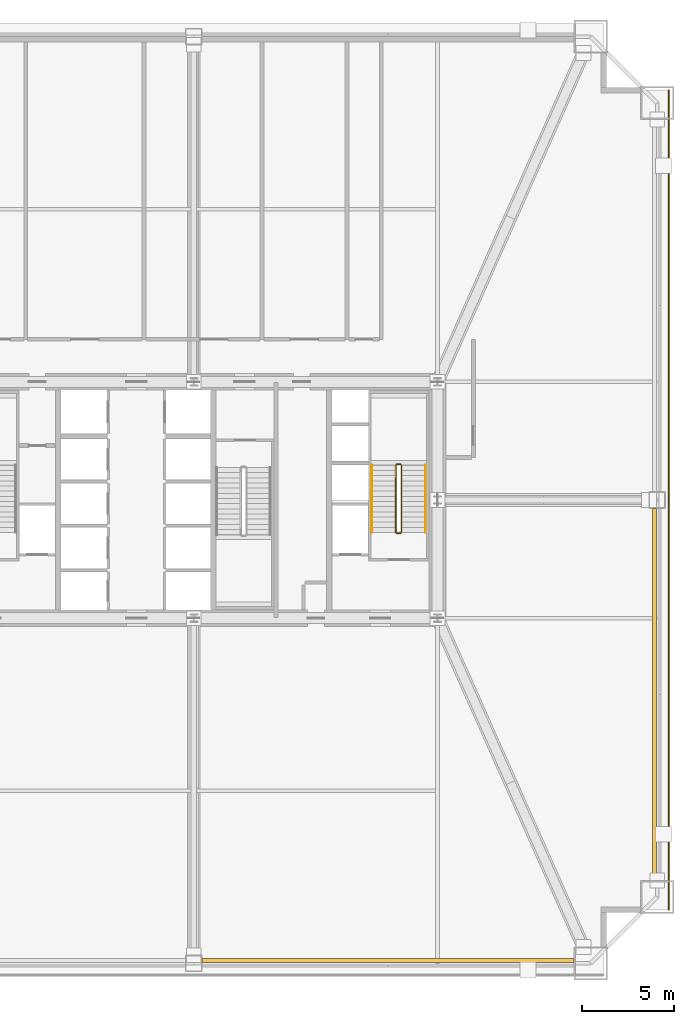
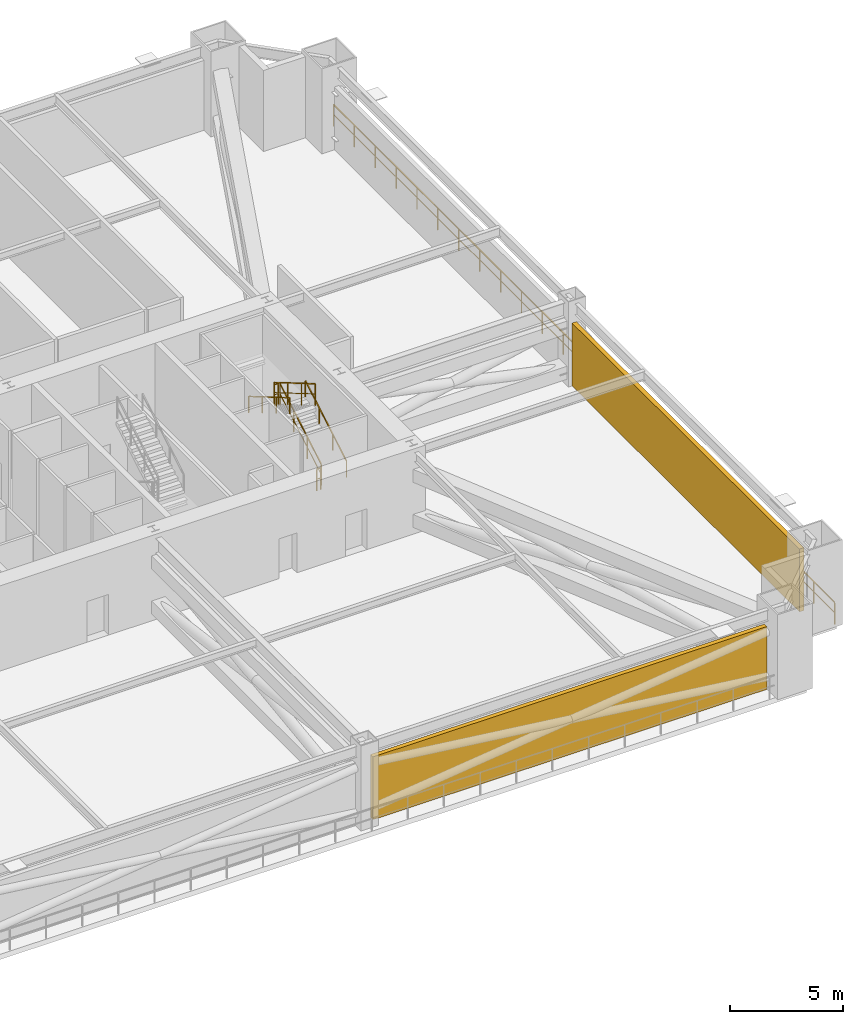
# One storey, part 10 of 11: 7 railings, 2 shading devices.
"""IFC4 building model written with IfcOpenShell, lengths in metres."""

from ifc_helpers import new_model, si_unit, direction, frame, origin, origin_2d, place, context, subcontext, project, spatial, rectangle, extrude, source, transform, mapped, material, layer, layer_set, type_object, element, save


model = new_model("IFC4")

# Units and contexts
model_context = context("Model", 3, precision=1e-05, world=origin(), true_north=direction((0.0, 1.0)))
body_context = subcontext(model_context, "Body", "Model", "MODEL_VIEW")
ifc_project = project(units=[si_unit("LENGTHUNIT", "METRE"), si_unit("AREAUNIT", "SQUARE_METRE"), si_unit("VOLUMEUNIT", "CUBIC_METRE"), si_unit("PLANEANGLEUNIT", "RADIAN"), si_unit("MASSUNIT", "GRAM", prefix="KILO"), si_unit("THERMODYNAMICTEMPERATUREUNIT", "KELVIN"), si_unit("POWERUNIT", "WATT")], contexts=[model_context])

# Site, building, storey
site_placement = place(None, origin())
site = spatial("IfcSite", under=ifc_project, at=site_placement, CompositionType="ELEMENT")
building_placement = place(site_placement, origin())
building = spatial("IfcBuilding", under=site, at=building_placement, Name="Yuzanri Waterfront Tower", CompositionType="ELEMENT")
storey_placement = place(building_placement, frame((0.0, 0.0, 41.39990234375)))
storey = spatial("IfcBuildingStorey", under=building, at=storey_placement, Name="L10", CompositionType="ELEMENT", Elevation=41.39990234375)

# Shading devices
ifc_material_1 = material(Name="Anodized Architectural Bronze", Category="metal")
ifc_layer_1 = layer(ifc_material_1, 0.219970703125)
ifc_layer_set_1 = layer_set([ifc_layer_1], Name="Anodized Architectural Bronze")
shading_device_type = type_object("IfcShadingDeviceType", Name="Anodized Bronze Refuge Wind-Diffusing Louvre Screen 220", PredefinedType="USERDEFINED", material=ifc_layer_set_1)
shared_shape_1 = source(origin(), body_context, "Body", "SweptSolid", [
    extrude(rectangle(XDim=20.14990234375, YDim=0.219970703125, at=origin_2d()), origin(), (0.0, 0.0, 1.0), 3.39990234375),
])
shading_device_1_placement = place(storey_placement, frame((47.52490234375, 0.85009765625, 0.000244140625), z_axis=(0.0, 0.0, 1.0), x_axis=(1.0, 0.0, 0.0)))
element("IfcShadingDevice", 1, at=shading_device_1_placement, inside=storey, type_object=shading_device_type, Name="L10 Wind-Diffusing Refuge Louvre SR", ObjectType="LOUVRE", PredefinedType="USERDEFINED", context=body_context, shape_type="MappedRepresentation", body=[
    mapped(shared_shape_1, transform((0.0, 0.0, 0.0), scale=1.0)),
])
shared_shape_2 = source(origin(), body_context, "Body", "SweptSolid", [
    extrude(rectangle(XDim=0.219970703125, YDim=20.14990234375, at=origin_2d()), origin(), (0.0, 0.0, 1.0), 3.39990234375),
])
shading_device_2_placement = place(storey_placement, frame((61.949951171875, 15.27490234375, 0.000244140625), z_axis=(0.0, 0.0, 1.0), x_axis=(1.0, 0.0, 0.0)))
element("IfcShadingDevice", 2, at=shading_device_2_placement, inside=storey, type_object=shading_device_type, Name="L10 Wind-Diffusing Refuge Louvre EL", ObjectType="LOUVRE", PredefinedType="USERDEFINED", context=body_context, shape_type="MappedRepresentation", body=[
    mapped(shared_shape_2, transform((0.0, 0.0, 0.0), scale=1.0)),
])

# Railings
ifc_material_2 = material(Name="Anodized Architectural Bronze", Category="metal")
ifc_layer_2 = layer(ifc_material_2, 0.080078125)
ifc_layer_set_2 = layer_set([ifc_layer_2], Name="Anodized Architectural Bronze")
railing_type_1 = type_object("IfcRailingType", Name="Laminated Glass and Bronze Balcony Guardrail 1200", PredefinedType="BALUSTRADE", material=ifc_layer_set_2)
shared_shape_3 = source(origin(), body_context, "Body", "SweptSolid", [
    extrude(rectangle(XDim=0.050048828125, YDim=0.050048828125, at=origin_2d()), frame((0.0, 0.0, 1.1748046875), z_axis=(0.0, 1.0, 0.0), x_axis=(-1.0, 0.0, 0.0)), (0.0, 0.0, 1.0), 44.39990234375),
    extrude(rectangle(XDim=0.035888671875, YDim=0.030029296875, at=origin_2d()), frame((0.0, 0.0, 0.6240234375), z_axis=(0.0, 1.0, 0.0), x_axis=(-1.0, 0.0, 0.0)), (0.0, 0.0, 1.0), 44.39990234375),
    extrude(rectangle(XDim=0.0458984375, YDim=0.0458984375, at=origin_2d()), origin(), (0.0, 0.0, 1.0), 1.14990234375),
    extrude(rectangle(XDim=0.0458984375, YDim=0.0458984375, at=origin_2d()), frame((0.0, 1.85009765625, 0.0)), (0.0, 0.0, 1.0), 1.14990234375),
    extrude(rectangle(XDim=0.0458984375, YDim=0.0458984375, at=origin_2d()), frame((0.0, 3.699951171875, 0.0)), (0.0, 0.0, 1.0), 1.14990234375),
    extrude(rectangle(XDim=0.0458984375, YDim=0.0458984375, at=origin_2d()), frame((0.0, 5.550048828125, 0.0)), (0.0, 0.0, 1.0), 1.14990234375),
    extrude(rectangle(XDim=0.0458984375, YDim=0.0458984375, at=origin_2d()), frame((0.0, 7.39990234375, 0.0)), (0.0, 0.0, 1.0), 1.14990234375),
    extrude(rectangle(XDim=0.0458984375, YDim=0.0458984375, at=origin_2d()), frame((0.0, 9.25, 0.0)), (0.0, 0.0, 1.0), 1.14990234375),
    extrude(rectangle(XDim=0.0458984375, YDim=0.0458984375, at=origin_2d()), frame((0.0, 11.10009765625, 0.0)), (0.0, 0.0, 1.0), 1.14990234375),
    extrude(rectangle(XDim=0.0458984375, YDim=0.0458984375, at=origin_2d()), frame((0.0, 12.949951171875, 0.0)), (0.0, 0.0, 1.0), 1.14990234375),
    extrude(rectangle(XDim=0.0458984375, YDim=0.0458984375, at=origin_2d()), frame((0.0, 14.800048828125, 0.0)), (0.0, 0.0, 1.0), 1.14990234375),
    extrude(rectangle(XDim=0.0458984375, YDim=0.0458984375, at=origin_2d()), frame((0.0, 16.64990234375, 0.0)), (0.0, 0.0, 1.0), 1.14990234375),
    extrude(rectangle(XDim=0.0458984375, YDim=0.0458984375, at=origin_2d()), frame((0.0, 18.5, 0.0)), (0.0, 0.0, 1.0), 1.14990234375),
    extrude(rectangle(XDim=0.0458984375, YDim=0.0458984375, at=origin_2d()), frame((0.0, 20.349853515625, 0.0)), (0.0, 0.0, 1.0), 1.14990234375),
    extrude(rectangle(XDim=0.0458984375, YDim=0.0458984375, at=origin_2d()), frame((0.0, 22.199951171875, 0.0)), (0.0, 0.0, 1.0), 1.14990234375),
    extrude(rectangle(XDim=0.0458984375, YDim=0.0458984375, at=origin_2d()), frame((0.0, 24.050048828125, 0.0)), (0.0, 0.0, 1.0), 1.14990234375),
    extrude(rectangle(XDim=0.0458984375, YDim=0.0458984375, at=origin_2d()), frame((0.0, 25.89990234375, 0.0)), (0.0, 0.0, 1.0), 1.14990234375),
    extrude(rectangle(XDim=0.0458984375, YDim=0.0458984375, at=origin_2d()), frame((0.0, 27.75, 0.0)), (0.0, 0.0, 1.0), 1.14990234375),
    extrude(rectangle(XDim=0.0458984375, YDim=0.0458984375, at=origin_2d()), frame((0.0, 29.599853515625, 0.0)), (0.0, 0.0, 1.0), 1.14990234375),
    extrude(rectangle(XDim=0.0458984375, YDim=0.0458984375, at=origin_2d()), frame((0.0, 31.449951171875, 0.0)), (0.0, 0.0, 1.0), 1.14990234375),
    extrude(rectangle(XDim=0.0458984375, YDim=0.0458984375, at=origin_2d()), frame((0.0, 33.2998046875, 0.0)), (0.0, 0.0, 1.0), 1.14990234375),
    extrude(rectangle(XDim=0.0458984375, YDim=0.0458984375, at=origin_2d()), frame((0.0, 35.14990234375, 0.0)), (0.0, 0.0, 1.0), 1.14990234375),
    extrude(rectangle(XDim=0.0458984375, YDim=0.0458984375, at=origin_2d()), frame((0.0, 37.0, 0.0)), (0.0, 0.0, 1.0), 1.14990234375),
    extrude(rectangle(XDim=0.0458984375, YDim=0.0458984375, at=origin_2d()), frame((0.0, 38.849853515625, 0.0)), (0.0, 0.0, 1.0), 1.14990234375),
    extrude(rectangle(XDim=0.0458984375, YDim=0.0458984375, at=origin_2d()), frame((0.0, 40.699951171875, 0.0)), (0.0, 0.0, 1.0), 1.14990234375),
    extrude(rectangle(XDim=0.0458984375, YDim=0.0458984375, at=origin_2d()), frame((0.0, 42.5498046875, 0.0)), (0.0, 0.0, 1.0), 1.14990234375),
    extrude(rectangle(XDim=0.0458984375, YDim=0.0458984375, at=origin_2d()), frame((0.0, 44.39990234375, 0.0)), (0.0, 0.0, 1.0), 1.14990234375),
])
railing_1_placement = place(storey_placement, frame((62.719970703125, 3.60009765625, 0.0)))
element("IfcRailing", 3, at=railing_1_placement, inside=storey, type_object=railing_type_1, Name="L10 East Refuge Edge Guard", PredefinedType="BALUSTRADE", context=body_context, shape_type="MappedRepresentation", body=[
    mapped(shared_shape_3, transform((0.0, 0.0, 0.0), scale=1.0)),
])
ifc_material_3 = material(Name="Painted Galvanized Fire Steel", Category="steel")
ifc_layer_3 = layer(ifc_material_3, 0.06005859375)
ifc_layer_set_3 = layer_set([ifc_layer_3], Name="Painted Galvanized Fire Steel")
railing_type_2 = type_object("IfcRailingType", Name="Painted Steel Stairwell Guardrail 1120", PredefinedType="GUARDRAIL", material=ifc_layer_set_3)
shared_shape_4 = source(origin(), body_context, "Body", "SweptSolid", [
    extrude(rectangle(XDim=0.050048828125, YDim=0.050048828125, at=origin_2d()), frame((0.0, 0.0, 1.1748046875), z_axis=(-1.0, 0.0, 0.0), x_axis=(0.0, -1.0, 0.0)), (0.0, 0.0, 1.0), 0.199951171875),
    extrude(rectangle(XDim=0.035888671875, YDim=0.030029296875, at=origin_2d()), frame((0.0, 0.0, 0.6240234375), z_axis=(-1.0, 0.0, 0.0), x_axis=(0.0, -1.0, 0.0)), (0.0, 0.0, 1.0), 0.199951171875),
    extrude(rectangle(XDim=0.0458984375, YDim=0.0458984375, at=origin_2d()), origin(), (0.0, 0.0, 1.0), 1.14990234375),
    extrude(rectangle(XDim=0.0458984375, YDim=0.0458984375, at=origin_2d()), frame((-0.199951171875, 0.0, 0.0)), (0.0, 0.0, 1.0), 1.14990234375),
])
for number, where, name in (
    (4, (48.199951171875, 27.72998046875, 2.300048828125), "L10 ST-02 stair guard 2"),
    (5, (48.199951171875, 23.989990234375, 0.0), "L10 ST-02 stair guard 4"),
):
    element("IfcRailing", number, at=place(storey_placement, frame(where)), inside=storey, type_object=railing_type_2, Name=name, PredefinedType="GUARDRAIL", context=body_context, shape_type="MappedRepresentation", body=[
        mapped(shared_shape_4, transform((0.0, 0.0, 0.0), scale=1.0)),
    ])
shared_shape_5 = source(origin(), body_context, "Body", "SweptSolid", [
    extrude(rectangle(XDim=0.050048828125, YDim=0.050048828125, at=origin_2d()), frame((0.0, 0.0, 1.1748046875), z_axis=(0.0, 0.862489892076, 0.506074289079), x_axis=(-1.0, 0.0, 0.0)), (0.0, 0.0, 1.0), 4.22021484375),
    extrude(rectangle(XDim=0.035888671875, YDim=0.030029296875, at=origin_2d()), frame((0.0, 0.0, 0.6240234375), z_axis=(0.0, 0.862489892076, 0.506074289079), x_axis=(-1.0, 0.0, 0.0)), (0.0, 0.0, 1.0), 4.22021484375),
    extrude(rectangle(XDim=0.0458984375, YDim=0.0458984375, at=origin_2d()), origin(), (0.0, 0.0, 1.0), 1.14990234375),
    extrude(rectangle(XDim=0.0458984375, YDim=0.0458984375, at=origin_2d()), frame((0.0, 1.21337890625, 0.7119140625)), (0.0, 0.0, 1.0), 1.14990234375),
    extrude(rectangle(XDim=0.0458984375, YDim=0.0458984375, at=origin_2d()), frame((0.0, 2.426513671875, 1.423828125)), (0.0, 0.0, 1.0), 1.14990234375),
    extrude(rectangle(XDim=0.0458984375, YDim=0.0458984375, at=origin_2d()), frame((0.0, 3.639892578125, 2.1357421875)), (0.0, 0.0, 1.0), 1.14990234375),
])
railing_2_placement = place(storey_placement, frame((48.25, 24.0400390625, 0.164306640625)))
element("IfcRailing", 6, at=railing_2_placement, inside=storey, type_object=railing_type_2, Name="L10 ST-02 stair guard 1", PredefinedType="GUARDRAIL", context=body_context, shape_type="MappedRepresentation", body=[
    mapped(shared_shape_5, transform((0.0, 0.0, 0.0), scale=1.0)),
])
shared_shape_6 = source(origin(), body_context, "Body", "SweptSolid", [
    extrude(rectangle(XDim=0.050048828125, YDim=0.050048828125, at=origin_2d()), frame((0.0, 0.0, 1.1748046875), z_axis=(0.0, -0.862489892076, 0.506074289079), x_axis=(1.0, 0.0, 0.0)), (0.0, 0.0, 1.0), 4.22021484375),
    extrude(rectangle(XDim=0.035888671875, YDim=0.030029296875, at=origin_2d()), frame((0.0, 0.0, 0.6240234375), z_axis=(0.0, -0.862489892076, 0.506074289079), x_axis=(1.0, 0.0, 0.0)), (0.0, 0.0, 1.0), 4.22021484375),
    extrude(rectangle(XDim=0.0458984375, YDim=0.0458984375, at=origin_2d()), origin(), (0.0, 0.0, 1.0), 1.14990234375),
    extrude(rectangle(XDim=0.0458984375, YDim=0.0458984375, at=origin_2d()), frame((0.0, -1.21337890625, 0.7119140625)), (0.0, 0.0, 1.0), 1.14990234375),
    extrude(rectangle(XDim=0.0458984375, YDim=0.0458984375, at=origin_2d()), frame((0.0, -2.426513671875, 1.423828125)), (0.0, 0.0, 1.0), 1.14990234375),
    extrude(rectangle(XDim=0.0458984375, YDim=0.0458984375, at=origin_2d()), frame((0.0, -3.639892578125, 2.1357421875)), (0.0, 0.0, 1.0), 1.14990234375),
])
railing_3_placement = place(storey_placement, frame((47.949951171875, 27.679931640625, 2.46435546875)))
element("IfcRailing", 7, at=railing_3_placement, inside=storey, type_object=railing_type_2, Name="L10 ST-02 stair guard 3", PredefinedType="GUARDRAIL", context=body_context, shape_type="MappedRepresentation", body=[
    mapped(shared_shape_6, transform((0.0, 0.0, 0.0), scale=1.0)),
])
ifc_material_4 = material(Name="Anodized Architectural Bronze", Category="metal")
ifc_layer_4 = layer(ifc_material_4, 0.050048828125)
ifc_layer_set_4 = layer_set([ifc_layer_4], Name="Anodized Architectural Bronze")
railing_type_3 = type_object("IfcRailingType", Name="Brushed Bronze Stair Pitch Handrail 920", PredefinedType="HANDRAIL", material=ifc_layer_set_4)
shared_shape_7 = source(origin(), body_context, "Body", "SweptSolid", [
    extrude(rectangle(XDim=0.050048828125, YDim=0.050048828125, at=origin_2d()), frame((0.0, 0.0, 0.875), z_axis=(0.0, 0.862489892076, 0.506074289079), x_axis=(-1.0, 0.0, 0.0)), (0.0, 0.0, 1.0), 4.22021484375),
    extrude(rectangle(XDim=0.0458984375, YDim=0.0458984375, at=origin_2d()), origin(), (0.0, 0.0, 1.0), 0.849853515625),
    extrude(rectangle(XDim=0.0458984375, YDim=0.0458984375, at=origin_2d()), frame((0.0, 1.21337890625, 0.7119140625)), (0.0, 0.0, 1.0), 0.849853515625),
    extrude(rectangle(XDim=0.0458984375, YDim=0.0458984375, at=origin_2d()), frame((0.0, 2.426513671875, 1.423828125)), (0.0, 0.0, 1.0), 0.849853515625),
    extrude(rectangle(XDim=0.0458984375, YDim=0.0458984375, at=origin_2d()), frame((0.0, 3.639892578125, 2.1357421875)), (0.0, 0.0, 1.0), 0.849853515625),
])
railing_4_placement = place(storey_placement, frame((49.550048828125, 24.0400390625, 0.164306640625)))
element("IfcRailing", 8, at=railing_4_placement, inside=storey, type_object=railing_type_3, Name="L10 ST-02 stair handrail 1", PredefinedType="HANDRAIL", context=body_context, shape_type="MappedRepresentation", body=[
    mapped(shared_shape_7, transform((0.0, 0.0, 0.0), scale=1.0)),
])
shared_shape_8 = source(origin(), body_context, "Body", "SweptSolid", [
    extrude(rectangle(XDim=0.050048828125, YDim=0.050048828125, at=origin_2d()), frame((0.0, 0.0, 0.875), z_axis=(0.0, -0.862489892076, 0.506074289079), x_axis=(1.0, 0.0, 0.0)), (0.0, 0.0, 1.0), 4.22021484375),
    extrude(rectangle(XDim=0.0458984375, YDim=0.0458984375, at=origin_2d()), origin(), (0.0, 0.0, 1.0), 0.849853515625),
    extrude(rectangle(XDim=0.0458984375, YDim=0.0458984375, at=origin_2d()), frame((0.0, -1.21337890625, 0.7119140625)), (0.0, 0.0, 1.0), 0.849853515625),
    extrude(rectangle(XDim=0.0458984375, YDim=0.0458984375, at=origin_2d()), frame((0.0, -2.426513671875, 1.423828125)), (0.0, 0.0, 1.0), 0.849853515625),
    extrude(rectangle(XDim=0.0458984375, YDim=0.0458984375, at=origin_2d()), frame((0.0, -3.639892578125, 2.1357421875)), (0.0, 0.0, 1.0), 0.849853515625),
])
railing_5_placement = place(storey_placement, frame((46.64990234375, 27.679931640625, 2.46435546875)))
element("IfcRailing", 9, at=railing_5_placement, inside=storey, type_object=railing_type_3, Name="L10 ST-02 stair handrail 2", PredefinedType="HANDRAIL", context=body_context, shape_type="MappedRepresentation", body=[
    mapped(shared_shape_8, transform((0.0, 0.0, 0.0), scale=1.0)),
])

save(model, "model.ifc")
